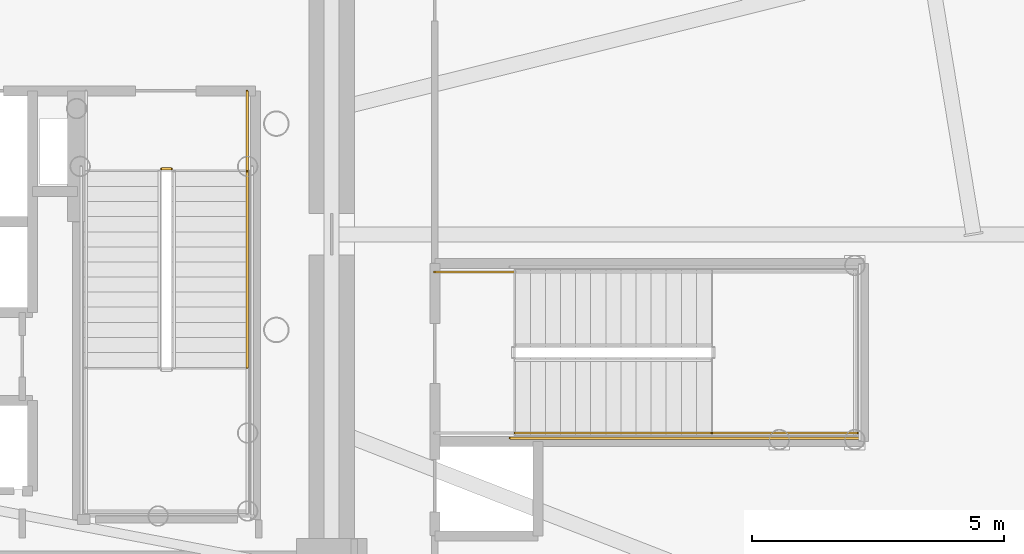
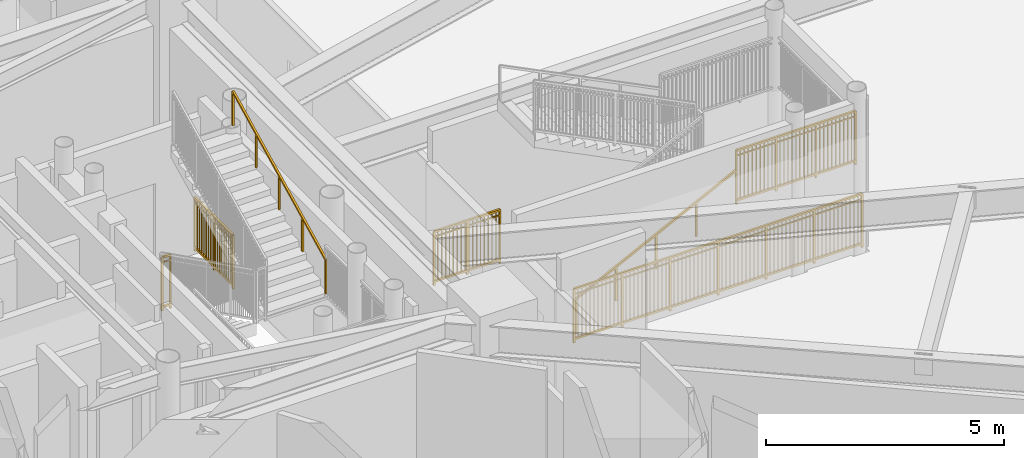
# One storey, part 28 of 31: 7 railings.
"""IFC4 building model written with IfcOpenShell, lengths in metres."""

from ifc_helpers import new_model, si_unit, direction, frame, origin, origin_2d, place, context, subcontext, project, spatial, rectangle, extrude, source, transform, mapped, material, type_object, element, save


model = new_model("IFC4")

# Units and contexts
model_context = context("Model", 3, precision=1e-05, world=origin(), true_north=direction((0.0, 1.0)))
body_context = subcontext(model_context, "Body", "Model", "MODEL_VIEW")
ifc_project = project(units=[si_unit("LENGTHUNIT", "METRE"), si_unit("AREAUNIT", "SQUARE_METRE"), si_unit("VOLUMEUNIT", "CUBIC_METRE"), si_unit("PLANEANGLEUNIT", "RADIAN"), si_unit("MASSUNIT", "GRAM", prefix="KILO")], contexts=[model_context])

# Site, building, storey
site_placement = place(None, origin())
site = spatial("IfcSite", under=ifc_project, at=site_placement, CompositionType="ELEMENT")
building_placement = place(site_placement, origin())
building = spatial("IfcBuilding", under=site, at=building_placement, Name="Linh Dai School and Residence Tower", CompositionType="ELEMENT")
storey_placement = place(building_placement, frame((0.0, 0.0, 6.0)))
storey = spatial("IfcBuildingStorey", under=building, at=storey_placement, Name="L01", CompositionType="ELEMENT", Elevation=6.0)

# Railings
ifc_material_1 = material(Name="Structural Steel S355JR", Category="steel")
railing_type_1 = type_object("IfcRailingType", Name="RL-ST-GUARD-1400", PredefinedType="GUARDRAIL", material=ifc_material_1)
shared_shape_1 = source(origin(), body_context, "Body", "SweptSolid", [
    extrude(rectangle(XDim=0.048095703125, YDim=0.048095703125, at=origin_2d()), frame((0.0, 0.0, 1.3759765625), z_axis=(1.0, 0.0, 0.0), x_axis=(0.0, 1.0, 0.0)), (0.0, 0.0, 1.0), 0.199951171875),
    extrude(rectangle(XDim=0.048095703125, YDim=0.048095703125, at=origin_2d()), frame((0.0, 0.0, 0.10009765625), z_axis=(1.0, 0.0, 0.0), x_axis=(0.0, 1.0, 0.0)), (0.0, 0.0, 1.0), 0.199951171875),
    extrude(rectangle(XDim=0.030029296875, YDim=0.030029296875, at=origin_2d()), frame((0.0, 0.0, 1.239990234375), z_axis=(1.0, 0.0, 0.0), x_axis=(0.0, 1.0, 0.0)), (0.0, 0.0, 1.0), 0.199951171875),
    extrude(rectangle(XDim=0.0419921875, YDim=0.0419921875, at=origin_2d()), origin(), (0.0, 0.0, 1.0), 1.3759765625),
    extrude(rectangle(XDim=0.0419921875, YDim=0.0419921875, at=origin_2d()), frame((0.199951171875, 0.0, 0.0)), (0.0, 0.0, 1.0), 1.3759765625),
])
railing_1_placement = place(storey_placement, frame((42.570068359375, 28.300048828125, 0.0)))
element("IfcRailing", 1, at=railing_1_placement, inside=storey, type_object=railing_type_1, Name="L01 ST2 stair guard 7", PredefinedType="GUARDRAIL", context=body_context, shape_type="MappedRepresentation", body=[
    mapped(shared_shape_1, transform((0.0, 0.0, 0.0), x_axis=(1.0, 0.0, 0.0), y_axis=(0.0, 1.0, 0.0), z_axis=(0.0, 0.0, 1.0), scale=1.0)),
])
shared_shape_2 = source(origin(), body_context, "Body", "SweptSolid", [
    extrude(rectangle(XDim=0.048095703125, YDim=0.048095703125, at=origin_2d()), frame((0.0, 0.0, 1.3759765625), z_axis=(0.0, -1.0, 0.0), x_axis=(1.0, 0.0, 0.0)), (0.0, 0.0, 1.0), 1.60009765625),
    extrude(rectangle(XDim=0.048095703125, YDim=0.048095703125, at=origin_2d()), frame((0.0, 0.0, 0.10009765625), z_axis=(0.0, -1.0, 0.0), x_axis=(1.0, 0.0, 0.0)), (0.0, 0.0, 1.0), 1.60009765625),
    extrude(rectangle(XDim=0.030029296875, YDim=0.030029296875, at=origin_2d()), frame((0.0, 0.0, 1.239990234375), z_axis=(0.0, -1.0, 0.0), x_axis=(1.0, 0.0, 0.0)), (0.0, 0.0, 1.0), 1.60009765625),
    extrude(rectangle(XDim=0.02001953125, YDim=0.02001953125, at=origin_2d()), frame((0.0, -0.09423828125, 0.10009765625)), (0.0, 0.0, 1.0), 1.251708984375),
    extrude(rectangle(XDim=0.02001953125, YDim=0.02001953125, at=origin_2d()), frame((0.0, -0.188232421875, 0.10009765625)), (0.0, 0.0, 1.0), 1.251708984375),
    extrude(rectangle(XDim=0.02001953125, YDim=0.02001953125, at=origin_2d()), frame((0.0, -0.282470703125, 0.10009765625)), (0.0, 0.0, 1.0), 1.251708984375),
    extrude(rectangle(XDim=0.02001953125, YDim=0.02001953125, at=origin_2d()), frame((0.0, -0.37646484375, 0.10009765625)), (0.0, 0.0, 1.0), 1.251708984375),
    extrude(rectangle(XDim=0.02001953125, YDim=0.02001953125, at=origin_2d()), frame((0.0, -0.470703125, 0.10009765625)), (0.0, 0.0, 1.0), 1.251708984375),
    extrude(rectangle(XDim=0.02001953125, YDim=0.02001953125, at=origin_2d()), frame((0.0, -0.564697265625, 0.10009765625)), (0.0, 0.0, 1.0), 1.251708984375),
    extrude(rectangle(XDim=0.02001953125, YDim=0.02001953125, at=origin_2d()), frame((0.0, -0.658935546875, 0.10009765625)), (0.0, 0.0, 1.0), 1.251708984375),
    extrude(rectangle(XDim=0.02001953125, YDim=0.02001953125, at=origin_2d()), frame((0.0, -0.7529296875, 0.10009765625)), (0.0, 0.0, 1.0), 1.251708984375),
    extrude(rectangle(XDim=0.02001953125, YDim=0.02001953125, at=origin_2d()), frame((0.0, -0.84716796875, 0.10009765625)), (0.0, 0.0, 1.0), 1.251708984375),
    extrude(rectangle(XDim=0.02001953125, YDim=0.02001953125, at=origin_2d()), frame((0.0, -0.941162109375, 0.10009765625)), (0.0, 0.0, 1.0), 1.251708984375),
    extrude(rectangle(XDim=0.02001953125, YDim=0.02001953125, at=origin_2d()), frame((0.0, -1.035400390625, 0.10009765625)), (0.0, 0.0, 1.0), 1.251708984375),
    extrude(rectangle(XDim=0.02001953125, YDim=0.02001953125, at=origin_2d()), frame((0.0, -1.12939453125, 0.10009765625)), (0.0, 0.0, 1.0), 1.251708984375),
    extrude(rectangle(XDim=0.02001953125, YDim=0.02001953125, at=origin_2d()), frame((0.0, -1.2236328125, 0.10009765625)), (0.0, 0.0, 1.0), 1.251708984375),
    extrude(rectangle(XDim=0.02001953125, YDim=0.02001953125, at=origin_2d()), frame((0.0, -1.317626953125, 0.10009765625)), (0.0, 0.0, 1.0), 1.251708984375),
    extrude(rectangle(XDim=0.02001953125, YDim=0.02001953125, at=origin_2d()), frame((0.0, -1.411865234375, 0.10009765625)), (0.0, 0.0, 1.0), 1.251708984375),
    extrude(rectangle(XDim=0.02001953125, YDim=0.02001953125, at=origin_2d()), frame((0.0, -1.505859375, 0.10009765625)), (0.0, 0.0, 1.0), 1.251708984375),
    extrude(rectangle(XDim=0.0419921875, YDim=0.0419921875, at=origin_2d()), origin(), (0.0, 0.0, 1.0), 1.3759765625),
    extrude(rectangle(XDim=0.0419921875, YDim=0.0419921875, at=origin_2d()), frame((0.0, -0.800048828125, 0.0)), (0.0, 0.0, 1.0), 1.3759765625),
    extrude(rectangle(XDim=0.0419921875, YDim=0.0419921875, at=origin_2d()), frame((0.0, -1.60009765625, 0.0)), (0.0, 0.0, 1.0), 1.3759765625),
])
railing_2_placement = place(storey_placement, frame((44.27001953125, 29.85009765625, 0.0)))
element("IfcRailing", 2, at=railing_2_placement, inside=storey, type_object=railing_type_1, Name="L01 ST2 stair guard 9", PredefinedType="GUARDRAIL", context=body_context, shape_type="MappedRepresentation", body=[
    mapped(shared_shape_2, transform((0.0, 0.0, 0.0), x_axis=(1.0, 0.0, 0.0), y_axis=(0.0, 1.0, 0.0), z_axis=(0.0, 0.0, 1.0), scale=1.0)),
])
ifc_material_2 = material(Name="Brushed Stainless Steel Handrail", Category="steel")
railing_type_2 = type_object("IfcRailingType", Name="RL-ST-HANDRAIL-900", PredefinedType="HANDRAIL", material=ifc_material_2)
shared_shape_3 = source(origin(), body_context, "Body", "SweptSolid", [
    extrude(rectangle(XDim=0.048095703125, YDim=0.048095703125, at=origin_2d()), frame((0.0, 0.0, 0.8759765625), z_axis=(0.0, 0.894427191, 0.4472135955), x_axis=(-1.0, 0.0, 0.0)), (0.0, 0.0, 1.0), 4.360107421875),
    extrude(rectangle(XDim=0.0419921875, YDim=0.0419921875, at=origin_2d()), origin(), (0.0, 0.0, 1.0), 0.8759765625),
    extrude(rectangle(XDim=0.0419921875, YDim=0.0419921875, at=origin_2d()), frame((0.0, 0.97509765625, 0.487548828125)), (0.0, 0.0, 1.0), 0.8759765625),
    extrude(rectangle(XDim=0.0419921875, YDim=0.0419921875, at=origin_2d()), frame((0.0, 1.949951171875, 0.97509765625)), (0.0, 0.0, 1.0), 0.8759765625),
    extrude(rectangle(XDim=0.0419921875, YDim=0.0419921875, at=origin_2d()), frame((0.0, 2.9248046875, 1.46240234375)), (0.0, 0.0, 1.0), 0.8759765625),
    extrude(rectangle(XDim=0.0419921875, YDim=0.0419921875, at=origin_2d()), frame((0.0, 3.89990234375, 1.949951171875)), (0.0, 0.0, 1.0), 0.8759765625),
])
railing_3_placement = place(storey_placement, frame((44.27001953125, 24.35009765625, 2.25)))
element("IfcRailing", 3, at=railing_3_placement, inside=storey, type_object=railing_type_2, Name="L01 ST2 stair handrail 2", PredefinedType="HANDRAIL", context=body_context, shape_type="MappedRepresentation", body=[
    mapped(shared_shape_3, transform((0.0, 0.0, 0.0), x_axis=(1.0, 0.0, 0.0), y_axis=(0.0, 1.0, 0.0), z_axis=(0.0, 0.0, 1.0), scale=1.0)),
])
shared_shape_4 = source(origin(), body_context, "Body", "SweptSolid", [
    extrude(rectangle(XDim=0.048095703125, YDim=0.048095703125, at=origin_2d()), frame((0.0, 0.0, 0.8759765625), z_axis=(0.894404793364, 0.0, 0.447258387967), x_axis=(0.0, 1.0, 0.0)), (0.0, 0.0, 1.0), 4.3603515625),
    extrude(rectangle(XDim=0.0419921875, YDim=0.0419921875, at=origin_2d()), origin(), (0.0, 0.0, 1.0), 0.8759765625),
    extrude(rectangle(XDim=0.0419921875, YDim=0.0419921875, at=origin_2d()), frame((0.97509765625, 0.0, 0.487548828125)), (0.0, 0.0, 1.0), 0.8759765625),
    extrude(rectangle(XDim=0.0419921875, YDim=0.0419921875, at=origin_2d()), frame((1.949951171875, 0.0, 0.97509765625)), (0.0, 0.0, 1.0), 0.8759765625),
    extrude(rectangle(XDim=0.0419921875, YDim=0.0419921875, at=origin_2d()), frame((2.9248046875, 0.0, 1.462646484375)), (0.0, 0.0, 1.0), 0.8759765625),
    extrude(rectangle(XDim=0.0419921875, YDim=0.0419921875, at=origin_2d()), frame((3.89990234375, 0.0, 1.9501953125)), (0.0, 0.0, 1.0), 0.8759765625),
])
railing_4_placement = place(storey_placement, frame((49.60009765625, 23.050048828125, 0.14990234375)))
element("IfcRailing", 4, at=railing_4_placement, inside=storey, type_object=railing_type_2, Name="L01 STS2 stair handrail 1", PredefinedType="HANDRAIL", context=body_context, shape_type="MappedRepresentation", body=[
    mapped(shared_shape_4, transform((0.0, 0.0, 0.0), x_axis=(1.0, 0.0, 0.0), y_axis=(0.0, 1.0, 0.0), z_axis=(0.0, 0.0, 1.0), scale=1.0)),
])
shared_shape_5 = source(origin(), body_context, "Body", "SweptSolid", [
    extrude(rectangle(XDim=0.048095703125, YDim=0.048095703125, at=origin_2d()), frame((0.0, 0.0, 1.3759765625), z_axis=(1.0, 0.0, 0.0), x_axis=(0.0, 1.0, 0.0)), (0.0, 0.0, 1.0), 1.60009765625),
    extrude(rectangle(XDim=0.048095703125, YDim=0.048095703125, at=origin_2d()), frame((0.0, 0.0, 0.10009765625), z_axis=(1.0, 0.0, 0.0), x_axis=(0.0, 1.0, 0.0)), (0.0, 0.0, 1.0), 1.60009765625),
    extrude(rectangle(XDim=0.030029296875, YDim=0.030029296875, at=origin_2d()), frame((0.0, 0.0, 1.239990234375), z_axis=(1.0, 0.0, 0.0), x_axis=(0.0, 1.0, 0.0)), (0.0, 0.0, 1.0), 1.60009765625),
    extrude(rectangle(XDim=0.02001953125, YDim=0.02001953125, at=origin_2d()), frame((0.09423828125, 0.0, 0.10009765625)), (0.0, 0.0, 1.0), 1.251708984375),
    extrude(rectangle(XDim=0.02001953125, YDim=0.02001953125, at=origin_2d()), frame((0.188232421875, 0.0, 0.10009765625)), (0.0, 0.0, 1.0), 1.251708984375),
    extrude(rectangle(XDim=0.02001953125, YDim=0.02001953125, at=origin_2d()), frame((0.282470703125, 0.0, 0.10009765625)), (0.0, 0.0, 1.0), 1.251708984375),
    extrude(rectangle(XDim=0.02001953125, YDim=0.02001953125, at=origin_2d()), frame((0.37646484375, 0.0, 0.10009765625)), (0.0, 0.0, 1.0), 1.251708984375),
    extrude(rectangle(XDim=0.02001953125, YDim=0.02001953125, at=origin_2d()), frame((0.470703125, 0.0, 0.10009765625)), (0.0, 0.0, 1.0), 1.251708984375),
    extrude(rectangle(XDim=0.02001953125, YDim=0.02001953125, at=origin_2d()), frame((0.564697265625, 0.0, 0.10009765625)), (0.0, 0.0, 1.0), 1.251708984375),
    extrude(rectangle(XDim=0.02001953125, YDim=0.02001953125, at=origin_2d()), frame((0.658935546875, 0.0, 0.10009765625)), (0.0, 0.0, 1.0), 1.251708984375),
    extrude(rectangle(XDim=0.02001953125, YDim=0.02001953125, at=origin_2d()), frame((0.7529296875, 0.0, 0.10009765625)), (0.0, 0.0, 1.0), 1.251708984375),
    extrude(rectangle(XDim=0.02001953125, YDim=0.02001953125, at=origin_2d()), frame((0.84716796875, 0.0, 0.10009765625)), (0.0, 0.0, 1.0), 1.251708984375),
    extrude(rectangle(XDim=0.02001953125, YDim=0.02001953125, at=origin_2d()), frame((0.941162109375, 0.0, 0.10009765625)), (0.0, 0.0, 1.0), 1.251708984375),
    extrude(rectangle(XDim=0.02001953125, YDim=0.02001953125, at=origin_2d()), frame((1.035400390625, 0.0, 0.10009765625)), (0.0, 0.0, 1.0), 1.251708984375),
    extrude(rectangle(XDim=0.02001953125, YDim=0.02001953125, at=origin_2d()), frame((1.12939453125, 0.0, 0.10009765625)), (0.0, 0.0, 1.0), 1.251708984375),
    extrude(rectangle(XDim=0.02001953125, YDim=0.02001953125, at=origin_2d()), frame((1.2236328125, 0.0, 0.10009765625)), (0.0, 0.0, 1.0), 1.251708984375),
    extrude(rectangle(XDim=0.02001953125, YDim=0.02001953125, at=origin_2d()), frame((1.317626953125, 0.0, 0.10009765625)), (0.0, 0.0, 1.0), 1.251708984375),
    extrude(rectangle(XDim=0.02001953125, YDim=0.02001953125, at=origin_2d()), frame((1.411865234375, 0.0, 0.10009765625)), (0.0, 0.0, 1.0), 1.251708984375),
    extrude(rectangle(XDim=0.02001953125, YDim=0.02001953125, at=origin_2d()), frame((1.505859375, 0.0, 0.10009765625)), (0.0, 0.0, 1.0), 1.251708984375),
    extrude(rectangle(XDim=0.0419921875, YDim=0.0419921875, at=origin_2d()), origin(), (0.0, 0.0, 1.0), 1.3759765625),
    extrude(rectangle(XDim=0.0419921875, YDim=0.0419921875, at=origin_2d()), frame((0.800048828125, 0.0, 0.0)), (0.0, 0.0, 1.0), 1.3759765625),
    extrude(rectangle(XDim=0.0419921875, YDim=0.0419921875, at=origin_2d()), frame((1.60009765625, 0.0, 0.0)), (0.0, 0.0, 1.0), 1.3759765625),
])
railing_5_placement = place(storey_placement, frame((48.0, 26.25, 0.0)))
element("IfcRailing", 5, at=railing_5_placement, inside=storey, type_object=railing_type_1, Name="L01 STS2 stair guard 9", PredefinedType="GUARDRAIL", context=body_context, shape_type="MappedRepresentation", body=[
    mapped(shared_shape_5, transform((0.0, 0.0, 0.0), x_axis=(1.0, 0.0, 0.0), y_axis=(0.0, 1.0, 0.0), z_axis=(0.0, 0.0, 1.0), scale=1.0)),
])
shared_shape_6 = source(origin(), body_context, "Body", "SweptSolid", [
    extrude(rectangle(XDim=0.048095703125, YDim=0.048095703125, at=origin_2d()), frame((0.0, 0.0, 1.3759765625), z_axis=(1.0, 0.0, 0.0), x_axis=(0.0, 1.0, 0.0)), (0.0, 0.0, 1.0), 2.89990234375),
    extrude(rectangle(XDim=0.048095703125, YDim=0.048095703125, at=origin_2d()), frame((0.0, 0.0, 0.10009765625), z_axis=(1.0, 0.0, 0.0), x_axis=(0.0, 1.0, 0.0)), (0.0, 0.0, 1.0), 2.89990234375),
    extrude(rectangle(XDim=0.030029296875, YDim=0.030029296875, at=origin_2d()), frame((0.0, 0.0, 1.239990234375), z_axis=(1.0, 0.0, 0.0), x_axis=(0.0, 1.0, 0.0)), (0.0, 0.0, 1.0), 2.89990234375),
    extrude(rectangle(XDim=0.02001953125, YDim=0.02001953125, at=origin_2d()), frame((0.0966796875, 0.0, 0.10009765625)), (0.0, 0.0, 1.0), 1.251708984375),
    extrude(rectangle(XDim=0.02001953125, YDim=0.02001953125, at=origin_2d()), frame((0.193359375, 0.0, 0.10009765625)), (0.0, 0.0, 1.0), 1.251708984375),
    extrude(rectangle(XDim=0.02001953125, YDim=0.02001953125, at=origin_2d()), frame((0.2900390625, 0.0, 0.10009765625)), (0.0, 0.0, 1.0), 1.251708984375),
    extrude(rectangle(XDim=0.02001953125, YDim=0.02001953125, at=origin_2d()), frame((0.38671875, 0.0, 0.10009765625)), (0.0, 0.0, 1.0), 1.251708984375),
    extrude(rectangle(XDim=0.02001953125, YDim=0.02001953125, at=origin_2d()), frame((0.4833984375, 0.0, 0.10009765625)), (0.0, 0.0, 1.0), 1.251708984375),
    extrude(rectangle(XDim=0.02001953125, YDim=0.02001953125, at=origin_2d()), frame((0.580078125, 0.0, 0.10009765625)), (0.0, 0.0, 1.0), 1.251708984375),
    extrude(rectangle(XDim=0.02001953125, YDim=0.02001953125, at=origin_2d()), frame((0.6767578125, 0.0, 0.10009765625)), (0.0, 0.0, 1.0), 1.251708984375),
    extrude(rectangle(XDim=0.02001953125, YDim=0.02001953125, at=origin_2d()), frame((0.773193359375, 0.0, 0.10009765625)), (0.0, 0.0, 1.0), 1.251708984375),
    extrude(rectangle(XDim=0.02001953125, YDim=0.02001953125, at=origin_2d()), frame((0.869873046875, 0.0, 0.10009765625)), (0.0, 0.0, 1.0), 1.251708984375),
    extrude(rectangle(XDim=0.02001953125, YDim=0.02001953125, at=origin_2d()), frame((1.063232421875, 0.0, 0.10009765625)), (0.0, 0.0, 1.0), 1.251708984375),
    extrude(rectangle(XDim=0.02001953125, YDim=0.02001953125, at=origin_2d()), frame((1.159912109375, 0.0, 0.10009765625)), (0.0, 0.0, 1.0), 1.251708984375),
    extrude(rectangle(XDim=0.02001953125, YDim=0.02001953125, at=origin_2d()), frame((1.256591796875, 0.0, 0.10009765625)), (0.0, 0.0, 1.0), 1.251708984375),
    extrude(rectangle(XDim=0.02001953125, YDim=0.02001953125, at=origin_2d()), frame((1.353271484375, 0.0, 0.10009765625)), (0.0, 0.0, 1.0), 1.251708984375),
    extrude(rectangle(XDim=0.02001953125, YDim=0.02001953125, at=origin_2d()), frame((1.449951171875, 0.0, 0.10009765625)), (0.0, 0.0, 1.0), 1.251708984375),
    extrude(rectangle(XDim=0.02001953125, YDim=0.02001953125, at=origin_2d()), frame((1.546630859375, 0.0, 0.10009765625)), (0.0, 0.0, 1.0), 1.251708984375),
    extrude(rectangle(XDim=0.02001953125, YDim=0.02001953125, at=origin_2d()), frame((1.643310546875, 0.0, 0.10009765625)), (0.0, 0.0, 1.0), 1.251708984375),
    extrude(rectangle(XDim=0.02001953125, YDim=0.02001953125, at=origin_2d()), frame((1.739990234375, 0.0, 0.10009765625)), (0.0, 0.0, 1.0), 1.251708984375),
    extrude(rectangle(XDim=0.02001953125, YDim=0.02001953125, at=origin_2d()), frame((1.836669921875, 0.0, 0.10009765625)), (0.0, 0.0, 1.0), 1.251708984375),
    extrude(rectangle(XDim=0.02001953125, YDim=0.02001953125, at=origin_2d()), frame((2.030029296875, 0.0, 0.10009765625)), (0.0, 0.0, 1.0), 1.251708984375),
    extrude(rectangle(XDim=0.02001953125, YDim=0.02001953125, at=origin_2d()), frame((2.126708984375, 0.0, 0.10009765625)), (0.0, 0.0, 1.0), 1.251708984375),
    extrude(rectangle(XDim=0.02001953125, YDim=0.02001953125, at=origin_2d()), frame((2.22314453125, 0.0, 0.10009765625)), (0.0, 0.0, 1.0), 1.251708984375),
    extrude(rectangle(XDim=0.02001953125, YDim=0.02001953125, at=origin_2d()), frame((2.31982421875, 0.0, 0.10009765625)), (0.0, 0.0, 1.0), 1.251708984375),
    extrude(rectangle(XDim=0.02001953125, YDim=0.02001953125, at=origin_2d()), frame((2.41650390625, 0.0, 0.10009765625)), (0.0, 0.0, 1.0), 1.251708984375),
    extrude(rectangle(XDim=0.02001953125, YDim=0.02001953125, at=origin_2d()), frame((2.51318359375, 0.0, 0.10009765625)), (0.0, 0.0, 1.0), 1.251708984375),
    extrude(rectangle(XDim=0.02001953125, YDim=0.02001953125, at=origin_2d()), frame((2.60986328125, 0.0, 0.10009765625)), (0.0, 0.0, 1.0), 1.251708984375),
    extrude(rectangle(XDim=0.02001953125, YDim=0.02001953125, at=origin_2d()), frame((2.70654296875, 0.0, 0.10009765625)), (0.0, 0.0, 1.0), 1.251708984375),
    extrude(rectangle(XDim=0.02001953125, YDim=0.02001953125, at=origin_2d()), frame((2.80322265625, 0.0, 0.10009765625)), (0.0, 0.0, 1.0), 1.251708984375),
    extrude(rectangle(XDim=0.0419921875, YDim=0.0419921875, at=origin_2d()), origin(), (0.0, 0.0, 1.0), 1.3759765625),
    extrude(rectangle(XDim=0.0419921875, YDim=0.0419921875, at=origin_2d()), frame((0.966552734375, 0.0, 0.0)), (0.0, 0.0, 1.0), 1.3759765625),
    extrude(rectangle(XDim=0.0419921875, YDim=0.0419921875, at=origin_2d()), frame((1.933349609375, 0.0, 0.0)), (0.0, 0.0, 1.0), 1.3759765625),
    extrude(rectangle(XDim=0.0419921875, YDim=0.0419921875, at=origin_2d()), frame((2.89990234375, 0.0, 0.0)), (0.0, 0.0, 1.0), 1.3759765625),
])
railing_6_placement = place(storey_placement, frame((53.5, 23.050048828125, 2.10009765625)))
element("IfcRailing", 6, at=railing_6_placement, inside=storey, type_object=railing_type_1, Name="L01 STS2 stair guard 3", PredefinedType="GUARDRAIL", context=body_context, shape_type="MappedRepresentation", body=[
    mapped(shared_shape_6, transform((0.0, 0.0, 0.0), x_axis=(1.0, 0.0, 0.0), y_axis=(0.0, 1.0, 0.0), z_axis=(0.0, 0.0, 1.0), scale=1.0)),
])
shared_shape_7 = source(origin(), body_context, "Body", "SweptSolid", [
    extrude(rectangle(XDim=0.048095703125, YDim=0.048095703125, at=origin_2d()), frame((0.0, 0.0, 1.3759765625), z_axis=(1.0, 0.0, 0.0), x_axis=(0.0, 1.0, 0.0)), (0.0, 0.0, 1.0), 7.0),
    extrude(rectangle(XDim=0.048095703125, YDim=0.048095703125, at=origin_2d()), frame((0.0, 0.0, 0.10009765625), z_axis=(1.0, 0.0, 0.0), x_axis=(0.0, 1.0, 0.0)), (0.0, 0.0, 1.0), 7.0),
    extrude(rectangle(XDim=0.030029296875, YDim=0.030029296875, at=origin_2d()), frame((0.0, 0.0, 1.239990234375), z_axis=(1.0, 0.0, 0.0), x_axis=(0.0, 1.0, 0.0)), (0.0, 0.0, 1.0), 7.0),
    extrude(rectangle(XDim=0.02001953125, YDim=0.02001953125, at=origin_2d()), frame((0.09716796875, 0.0, 0.10009765625)), (0.0, 0.0, 1.0), 1.251708984375),
    extrude(rectangle(XDim=0.02001953125, YDim=0.02001953125, at=origin_2d()), frame((0.1943359375, 0.0, 0.10009765625)), (0.0, 0.0, 1.0), 1.251708984375),
    extrude(rectangle(XDim=0.02001953125, YDim=0.02001953125, at=origin_2d()), frame((0.291748046875, 0.0, 0.10009765625)), (0.0, 0.0, 1.0), 1.251708984375),
    extrude(rectangle(XDim=0.02001953125, YDim=0.02001953125, at=origin_2d()), frame((0.388916015625, 0.0, 0.10009765625)), (0.0, 0.0, 1.0), 1.251708984375),
    extrude(rectangle(XDim=0.02001953125, YDim=0.02001953125, at=origin_2d()), frame((0.486083984375, 0.0, 0.10009765625)), (0.0, 0.0, 1.0), 1.251708984375),
    extrude(rectangle(XDim=0.02001953125, YDim=0.02001953125, at=origin_2d()), frame((0.583251953125, 0.0, 0.10009765625)), (0.0, 0.0, 1.0), 1.251708984375),
    extrude(rectangle(XDim=0.02001953125, YDim=0.02001953125, at=origin_2d()), frame((0.6806640625, 0.0, 0.10009765625)), (0.0, 0.0, 1.0), 1.251708984375),
    extrude(rectangle(XDim=0.02001953125, YDim=0.02001953125, at=origin_2d()), frame((0.77783203125, 0.0, 0.10009765625)), (0.0, 0.0, 1.0), 1.251708984375),
    extrude(rectangle(XDim=0.02001953125, YDim=0.02001953125, at=origin_2d()), frame((0.875, 0.0, 0.10009765625)), (0.0, 0.0, 1.0), 1.251708984375),
    extrude(rectangle(XDim=0.02001953125, YDim=0.02001953125, at=origin_2d()), frame((0.97216796875, 0.0, 0.10009765625)), (0.0, 0.0, 1.0), 1.251708984375),
    extrude(rectangle(XDim=0.02001953125, YDim=0.02001953125, at=origin_2d()), frame((1.0693359375, 0.0, 0.10009765625)), (0.0, 0.0, 1.0), 1.251708984375),
    extrude(rectangle(XDim=0.02001953125, YDim=0.02001953125, at=origin_2d()), frame((1.263916015625, 0.0, 0.10009765625)), (0.0, 0.0, 1.0), 1.251708984375),
    extrude(rectangle(XDim=0.02001953125, YDim=0.02001953125, at=origin_2d()), frame((1.361083984375, 0.0, 0.10009765625)), (0.0, 0.0, 1.0), 1.251708984375),
    extrude(rectangle(XDim=0.02001953125, YDim=0.02001953125, at=origin_2d()), frame((1.458251953125, 0.0, 0.10009765625)), (0.0, 0.0, 1.0), 1.251708984375),
    extrude(rectangle(XDim=0.02001953125, YDim=0.02001953125, at=origin_2d()), frame((1.5556640625, 0.0, 0.10009765625)), (0.0, 0.0, 1.0), 1.251708984375),
    extrude(rectangle(XDim=0.02001953125, YDim=0.02001953125, at=origin_2d()), frame((1.65283203125, 0.0, 0.10009765625)), (0.0, 0.0, 1.0), 1.251708984375),
    extrude(rectangle(XDim=0.02001953125, YDim=0.02001953125, at=origin_2d()), frame((1.75, 0.0, 0.10009765625)), (0.0, 0.0, 1.0), 1.251708984375),
    extrude(rectangle(XDim=0.02001953125, YDim=0.02001953125, at=origin_2d()), frame((1.84716796875, 0.0, 0.10009765625)), (0.0, 0.0, 1.0), 1.251708984375),
    extrude(rectangle(XDim=0.02001953125, YDim=0.02001953125, at=origin_2d()), frame((1.9443359375, 0.0, 0.10009765625)), (0.0, 0.0, 1.0), 1.251708984375),
    extrude(rectangle(XDim=0.02001953125, YDim=0.02001953125, at=origin_2d()), frame((2.041748046875, 0.0, 0.10009765625)), (0.0, 0.0, 1.0), 1.251708984375),
    extrude(rectangle(XDim=0.02001953125, YDim=0.02001953125, at=origin_2d()), frame((2.138916015625, 0.0, 0.10009765625)), (0.0, 0.0, 1.0), 1.251708984375),
    extrude(rectangle(XDim=0.02001953125, YDim=0.02001953125, at=origin_2d()), frame((2.236083984375, 0.0, 0.10009765625)), (0.0, 0.0, 1.0), 1.251708984375),
    extrude(rectangle(XDim=0.02001953125, YDim=0.02001953125, at=origin_2d()), frame((2.4306640625, 0.0, 0.10009765625)), (0.0, 0.0, 1.0), 1.251708984375),
    extrude(rectangle(XDim=0.02001953125, YDim=0.02001953125, at=origin_2d()), frame((2.52783203125, 0.0, 0.10009765625)), (0.0, 0.0, 1.0), 1.251708984375),
    extrude(rectangle(XDim=0.02001953125, YDim=0.02001953125, at=origin_2d()), frame((2.625, 0.0, 0.10009765625)), (0.0, 0.0, 1.0), 1.251708984375),
    extrude(rectangle(XDim=0.02001953125, YDim=0.02001953125, at=origin_2d()), frame((2.72216796875, 0.0, 0.10009765625)), (0.0, 0.0, 1.0), 1.251708984375),
    extrude(rectangle(XDim=0.02001953125, YDim=0.02001953125, at=origin_2d()), frame((2.8193359375, 0.0, 0.10009765625)), (0.0, 0.0, 1.0), 1.251708984375),
    extrude(rectangle(XDim=0.02001953125, YDim=0.02001953125, at=origin_2d()), frame((2.916748046875, 0.0, 0.10009765625)), (0.0, 0.0, 1.0), 1.251708984375),
    extrude(rectangle(XDim=0.02001953125, YDim=0.02001953125, at=origin_2d()), frame((3.013916015625, 0.0, 0.10009765625)), (0.0, 0.0, 1.0), 1.251708984375),
    extrude(rectangle(XDim=0.02001953125, YDim=0.02001953125, at=origin_2d()), frame((3.111083984375, 0.0, 0.10009765625)), (0.0, 0.0, 1.0), 1.251708984375),
    extrude(rectangle(XDim=0.02001953125, YDim=0.02001953125, at=origin_2d()), frame((3.208251953125, 0.0, 0.10009765625)), (0.0, 0.0, 1.0), 1.251708984375),
    extrude(rectangle(XDim=0.02001953125, YDim=0.02001953125, at=origin_2d()), frame((3.3056640625, 0.0, 0.10009765625)), (0.0, 0.0, 1.0), 1.251708984375),
    extrude(rectangle(XDim=0.02001953125, YDim=0.02001953125, at=origin_2d()), frame((3.40283203125, 0.0, 0.10009765625)), (0.0, 0.0, 1.0), 1.251708984375),
    extrude(rectangle(XDim=0.02001953125, YDim=0.02001953125, at=origin_2d()), frame((3.59716796875, 0.0, 0.10009765625)), (0.0, 0.0, 1.0), 1.251708984375),
    extrude(rectangle(XDim=0.02001953125, YDim=0.02001953125, at=origin_2d()), frame((3.6943359375, 0.0, 0.10009765625)), (0.0, 0.0, 1.0), 1.251708984375),
    extrude(rectangle(XDim=0.02001953125, YDim=0.02001953125, at=origin_2d()), frame((3.791748046875, 0.0, 0.10009765625)), (0.0, 0.0, 1.0), 1.251708984375),
    extrude(rectangle(XDim=0.02001953125, YDim=0.02001953125, at=origin_2d()), frame((3.888916015625, 0.0, 0.10009765625)), (0.0, 0.0, 1.0), 1.251708984375),
    extrude(rectangle(XDim=0.02001953125, YDim=0.02001953125, at=origin_2d()), frame((3.986083984375, 0.0, 0.10009765625)), (0.0, 0.0, 1.0), 1.251708984375),
    extrude(rectangle(XDim=0.02001953125, YDim=0.02001953125, at=origin_2d()), frame((4.083251953125, 0.0, 0.10009765625)), (0.0, 0.0, 1.0), 1.251708984375),
    extrude(rectangle(XDim=0.02001953125, YDim=0.02001953125, at=origin_2d()), frame((4.1806640625, 0.0, 0.10009765625)), (0.0, 0.0, 1.0), 1.251708984375),
    extrude(rectangle(XDim=0.02001953125, YDim=0.02001953125, at=origin_2d()), frame((4.27783203125, 0.0, 0.10009765625)), (0.0, 0.0, 1.0), 1.251708984375),
    extrude(rectangle(XDim=0.02001953125, YDim=0.02001953125, at=origin_2d()), frame((4.375, 0.0, 0.10009765625)), (0.0, 0.0, 1.0), 1.251708984375),
    extrude(rectangle(XDim=0.02001953125, YDim=0.02001953125, at=origin_2d()), frame((4.47216796875, 0.0, 0.10009765625)), (0.0, 0.0, 1.0), 1.251708984375),
    extrude(rectangle(XDim=0.02001953125, YDim=0.02001953125, at=origin_2d()), frame((4.5693359375, 0.0, 0.10009765625)), (0.0, 0.0, 1.0), 1.251708984375),
    extrude(rectangle(XDim=0.02001953125, YDim=0.02001953125, at=origin_2d()), frame((4.763916015625, 0.0, 0.10009765625)), (0.0, 0.0, 1.0), 1.251708984375),
    extrude(rectangle(XDim=0.02001953125, YDim=0.02001953125, at=origin_2d()), frame((4.861083984375, 0.0, 0.10009765625)), (0.0, 0.0, 1.0), 1.251708984375),
    extrude(rectangle(XDim=0.02001953125, YDim=0.02001953125, at=origin_2d()), frame((4.958251953125, 0.0, 0.10009765625)), (0.0, 0.0, 1.0), 1.251708984375),
    extrude(rectangle(XDim=0.02001953125, YDim=0.02001953125, at=origin_2d()), frame((5.0556640625, 0.0, 0.10009765625)), (0.0, 0.0, 1.0), 1.251708984375),
    extrude(rectangle(XDim=0.02001953125, YDim=0.02001953125, at=origin_2d()), frame((5.15283203125, 0.0, 0.10009765625)), (0.0, 0.0, 1.0), 1.251708984375),
    extrude(rectangle(XDim=0.02001953125, YDim=0.02001953125, at=origin_2d()), frame((5.25, 0.0, 0.10009765625)), (0.0, 0.0, 1.0), 1.251708984375),
    extrude(rectangle(XDim=0.02001953125, YDim=0.02001953125, at=origin_2d()), frame((5.34716796875, 0.0, 0.10009765625)), (0.0, 0.0, 1.0), 1.251708984375),
    extrude(rectangle(XDim=0.02001953125, YDim=0.02001953125, at=origin_2d()), frame((5.4443359375, 0.0, 0.10009765625)), (0.0, 0.0, 1.0), 1.251708984375),
    extrude(rectangle(XDim=0.02001953125, YDim=0.02001953125, at=origin_2d()), frame((5.541748046875, 0.0, 0.10009765625)), (0.0, 0.0, 1.0), 1.251708984375),
    extrude(rectangle(XDim=0.02001953125, YDim=0.02001953125, at=origin_2d()), frame((5.638916015625, 0.0, 0.10009765625)), (0.0, 0.0, 1.0), 1.251708984375),
    extrude(rectangle(XDim=0.02001953125, YDim=0.02001953125, at=origin_2d()), frame((5.736083984375, 0.0, 0.10009765625)), (0.0, 0.0, 1.0), 1.251708984375),
    extrude(rectangle(XDim=0.02001953125, YDim=0.02001953125, at=origin_2d()), frame((5.9306640625, 0.0, 0.10009765625)), (0.0, 0.0, 1.0), 1.251708984375),
    extrude(rectangle(XDim=0.02001953125, YDim=0.02001953125, at=origin_2d()), frame((6.02783203125, 0.0, 0.10009765625)), (0.0, 0.0, 1.0), 1.251708984375),
    extrude(rectangle(XDim=0.02001953125, YDim=0.02001953125, at=origin_2d()), frame((6.125, 0.0, 0.10009765625)), (0.0, 0.0, 1.0), 1.251708984375),
    extrude(rectangle(XDim=0.02001953125, YDim=0.02001953125, at=origin_2d()), frame((6.22216796875, 0.0, 0.10009765625)), (0.0, 0.0, 1.0), 1.251708984375),
    extrude(rectangle(XDim=0.02001953125, YDim=0.02001953125, at=origin_2d()), frame((6.3193359375, 0.0, 0.10009765625)), (0.0, 0.0, 1.0), 1.251708984375),
    extrude(rectangle(XDim=0.02001953125, YDim=0.02001953125, at=origin_2d()), frame((6.416748046875, 0.0, 0.10009765625)), (0.0, 0.0, 1.0), 1.251708984375),
    extrude(rectangle(XDim=0.02001953125, YDim=0.02001953125, at=origin_2d()), frame((6.513916015625, 0.0, 0.10009765625)), (0.0, 0.0, 1.0), 1.251708984375),
    extrude(rectangle(XDim=0.02001953125, YDim=0.02001953125, at=origin_2d()), frame((6.611083984375, 0.0, 0.10009765625)), (0.0, 0.0, 1.0), 1.251708984375),
    extrude(rectangle(XDim=0.02001953125, YDim=0.02001953125, at=origin_2d()), frame((6.708251953125, 0.0, 0.10009765625)), (0.0, 0.0, 1.0), 1.251708984375),
    extrude(rectangle(XDim=0.02001953125, YDim=0.02001953125, at=origin_2d()), frame((6.8056640625, 0.0, 0.10009765625)), (0.0, 0.0, 1.0), 1.251708984375),
    extrude(rectangle(XDim=0.02001953125, YDim=0.02001953125, at=origin_2d()), frame((6.90283203125, 0.0, 0.10009765625)), (0.0, 0.0, 1.0), 1.251708984375),
    extrude(rectangle(XDim=0.0419921875, YDim=0.0419921875, at=origin_2d()), origin(), (0.0, 0.0, 1.0), 1.3759765625),
    extrude(rectangle(XDim=0.0419921875, YDim=0.0419921875, at=origin_2d()), frame((1.166748046875, 0.0, 0.0)), (0.0, 0.0, 1.0), 1.3759765625),
    extrude(rectangle(XDim=0.0419921875, YDim=0.0419921875, at=origin_2d()), frame((2.333251953125, 0.0, 0.0)), (0.0, 0.0, 1.0), 1.3759765625),
    extrude(rectangle(XDim=0.0419921875, YDim=0.0419921875, at=origin_2d()), frame((3.5, 0.0, 0.0)), (0.0, 0.0, 1.0), 1.3759765625),
    extrude(rectangle(XDim=0.0419921875, YDim=0.0419921875, at=origin_2d()), frame((4.666748046875, 0.0, 0.0)), (0.0, 0.0, 1.0), 1.3759765625),
    extrude(rectangle(XDim=0.0419921875, YDim=0.0419921875, at=origin_2d()), frame((5.833251953125, 0.0, 0.0)), (0.0, 0.0, 1.0), 1.3759765625),
    extrude(rectangle(XDim=0.0419921875, YDim=0.0419921875, at=origin_2d()), frame((7.0, 0.0, 0.0)), (0.0, 0.0, 1.0), 1.3759765625),
])
railing_7_placement = place(storey_placement, frame((49.5, 22.949951171875, 0.0)))
element("IfcRailing", 7, at=railing_7_placement, inside=storey, type_object=railing_type_1, Name="L01 STS2 stair guard 10", PredefinedType="GUARDRAIL", context=body_context, shape_type="MappedRepresentation", body=[
    mapped(shared_shape_7, transform((0.0, 0.0, 0.0), x_axis=(1.0, 0.0, 0.0), y_axis=(0.0, 1.0, 0.0), z_axis=(0.0, 0.0, 1.0), scale=1.0)),
])

save(model, "model.ifc")
